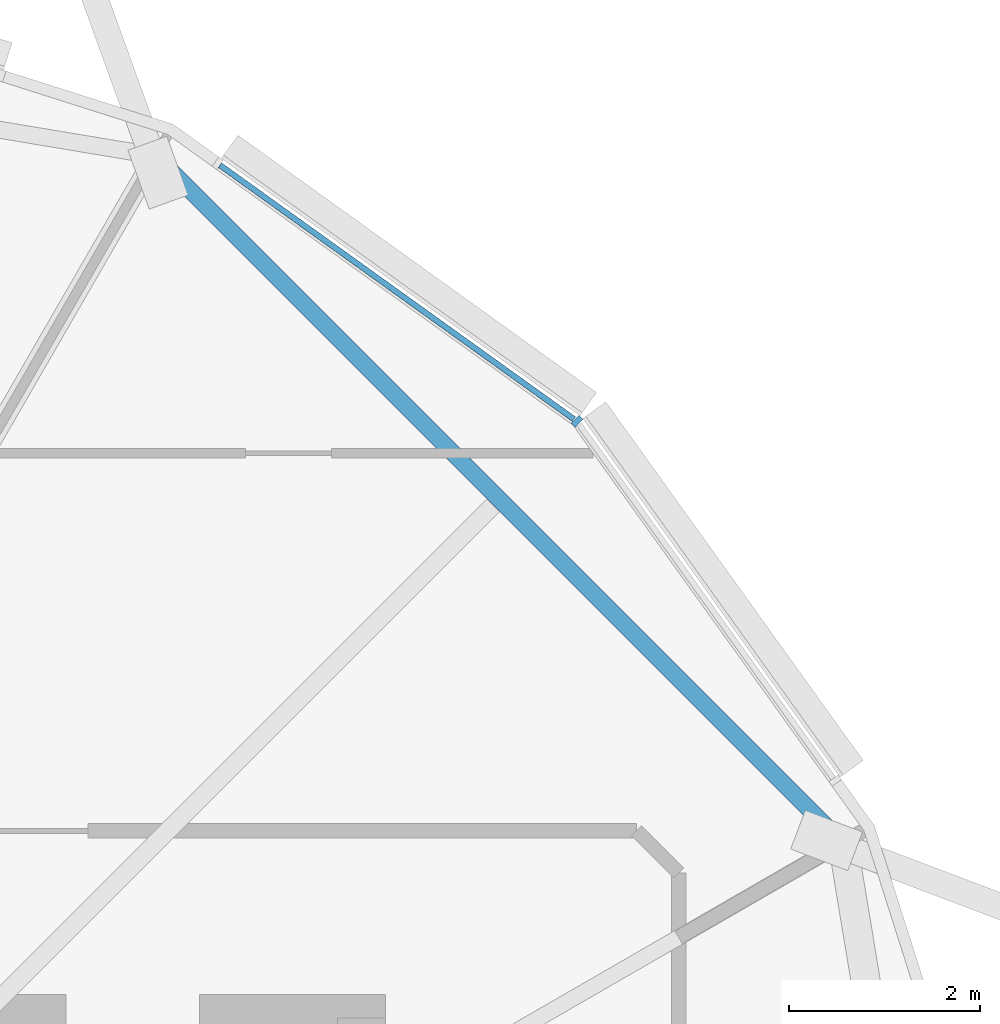
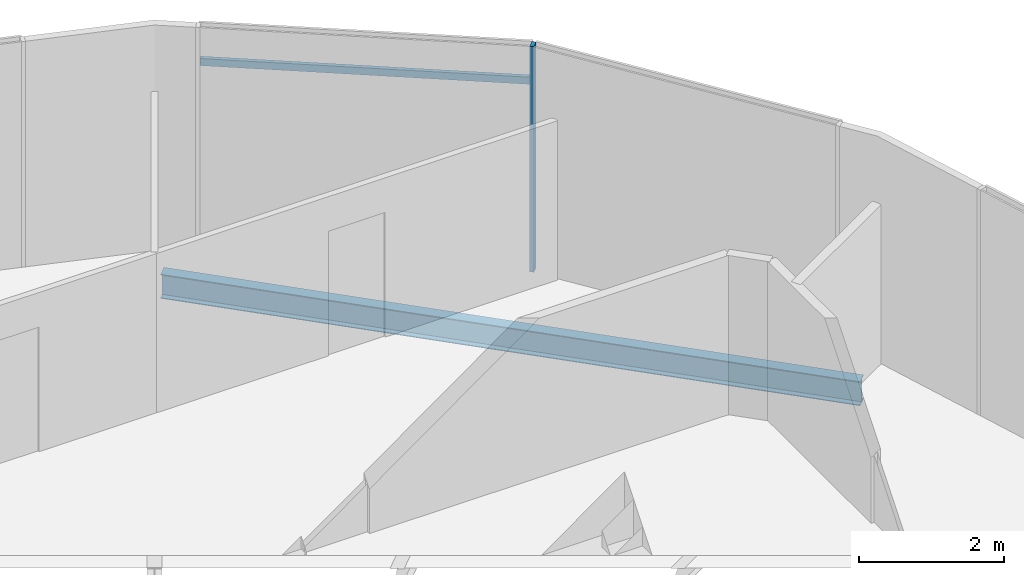
# One storey, part 14 of 34: 2 members, 1 beam, 1 element without a shape of its own.
"""IFC4 building model written with IfcOpenShell, lengths in metres."""

from ifc_helpers import new_model, si_unit, direction, frame, origin, origin_2d, place, context, subcontext, project, spatial, rectangle, i_section, extrude, material, material_profile, profile_set, type_object, element, aggregate, save


model = new_model("IFC4")

# Units and contexts
model_context = context("Model", 3, precision=1e-05, world=origin(), true_north=direction((0.0, 1.0)))
body_context = subcontext(model_context, "Body", "Model", "MODEL_VIEW")
ifc_project = project(units=[si_unit("LENGTHUNIT", "METRE"), si_unit("AREAUNIT", "SQUARE_METRE"), si_unit("VOLUMEUNIT", "CUBIC_METRE"), si_unit("PLANEANGLEUNIT", "RADIAN"), si_unit("MASSUNIT", "GRAM", prefix="KILO")], contexts=[model_context])

# Site, building, storey
site_placement = place(None, origin())
site = spatial("IfcSite", under=ifc_project, at=site_placement, CompositionType="ELEMENT")
building_placement = place(site_placement, origin())
building = spatial("IfcBuilding", under=site, at=building_placement, Name="Rimbun Link Towers", CompositionType="ELEMENT")
storey_placement = place(building_placement, frame((0.0, 0.0, 252.300048828125)))
storey = spatial("IfcBuildingStorey", under=building, at=storey_placement, Name="L62", CompositionType="ELEMENT", Elevation=252.300048828125)

# Curtain wall, members
ifc_material_1 = material(Name="Aluminium 6063-T6 and low-iron glass", Category="aluminium")
curtain_wall_type = type_object("IfcCurtainWallType", Name="CW1-Z4 unitised vision wall (zone 4)", PredefinedType="NOTDEFINED", material=ifc_material_1)
curtain_wall_placement = place(storey_placement, origin())
curtain_wall = element("IfcCurtainWall", 1, at=curtain_wall_placement, inside=storey, type_object=curtain_wall_type, Name="CW1 L62 T2", PredefinedType="NOTDEFINED")
ifc_material_2 = material(Name="Aluminium 6063-T6", Category="aluminium")
ifc_material_profile_1 = material_profile(ifc_material_2, rectangle(XDim=0.1201171875, YDim=0.06005859375, at=origin_2d()), Name="MULLION 60X120")
ifc_profile_set_1 = profile_set([ifc_material_profile_1], Name="Aluminium 6063-T6")
member_type_1 = type_object("IfcMemberType", Name="CW1 mullion 60X120", PredefinedType="MULLION", material=ifc_profile_set_1)
member_1_placement = place(storey_placement, frame((46.0107421875, 14.2607421875, 0.0), z_axis=(0.0, 0.0, 1.0), x_axis=(0.707106781187, 0.707106781187, 0.0)))
member_1 = element("IfcMember", 2, at=member_1_placement, type_object=member_type_1, Name="CW1 mullion", PredefinedType="MULLION", context=body_context, shape_type="SweptSolid", body=[
    extrude(rectangle(XDim=0.1201171875, YDim=0.06005859375, at=origin_2d()), origin(), (0.0, 0.0, 1.0), 3.800048828125),
])
ifc_material_3 = material(Name="Aluminium 6063-T6", Category="aluminium")
ifc_material_profile_2 = material_profile(ifc_material_3, rectangle(XDim=0.06005859375, YDim=0.1201171875, at=origin_2d()), Name="TRANSOM 60X120")
ifc_profile_set_2 = profile_set([ifc_material_profile_2], Name="Aluminium 6063-T6")
member_type_2 = type_object("IfcMemberType", Name="CW1 transom 60X120", PredefinedType="USERDEFINED", material=ifc_profile_set_2)
member_2_placement = place(storey_placement, frame((42.264892578125, 16.947021484375, 3.199951171875), z_axis=(0.812489840132, -0.582975350836, 0.0), x_axis=(0.582975350836, 0.812489840132, 0.0)))
member_2 = element("IfcMember", 3, at=member_2_placement, type_object=member_type_2, Name="CW1 transom", ObjectType="TRANSOM", PredefinedType="USERDEFINED", context=body_context, shape_type="SweptSolid", body=[
    extrude(rectangle(XDim=0.06005859375, YDim=0.1201171875, at=origin_2d()), origin(), (0.0, 0.0, 1.0), 4.56982421875),
])
aggregate(curtain_wall, [member_1, member_2])

# Beam
ifc_material_4 = material(Name="Steel S355J2", Category="steel")
ifc_material_profile_3 = material_profile(ifc_material_4, i_section(OverallWidth=0.177978515625, OverallDepth=0.406494140625, WebThickness=0.0078125, FlangeThickness=0.0126953125, at=origin_2d()), Name="UB 406x178x60")
ifc_profile_set_3 = profile_set([ifc_material_profile_3], Name="Steel S355J2")
beam_type = type_object("IfcBeamType", Name="UB 406x178x60", PredefinedType="BEAM", material=ifc_profile_set_3)
beam_placement = place(storey_placement, frame((48.734619140625, 9.90234375, -0.34326171875), z_axis=(-0.707106781187, 0.707106781187, 0.0), x_axis=(-0.707106781187, -0.707106781187, 0.0)))
element("IfcBeam", 4, at=beam_placement, inside=storey, type_object=beam_type, Name="Edge beam T2 L62 23-01", PredefinedType="BEAM", context=body_context, shape_type="SweptSolid", body=[
    extrude(i_section(OverallWidth=0.177978515625, OverallDepth=0.406494140625, WebThickness=0.0078125, FlangeThickness=0.0126953125, at=origin_2d()), origin(), (0.0, 0.0, 1.0), 9.99267578125),
])

save(model, "model.ifc")
